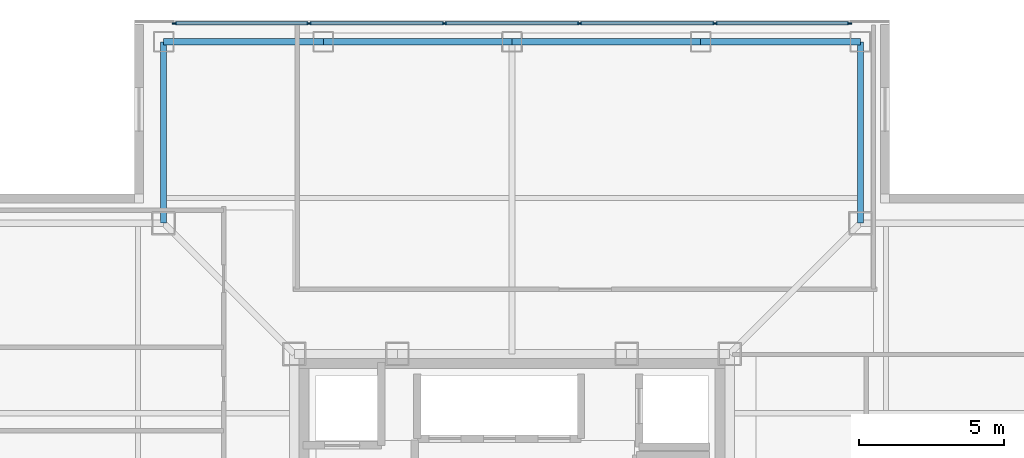
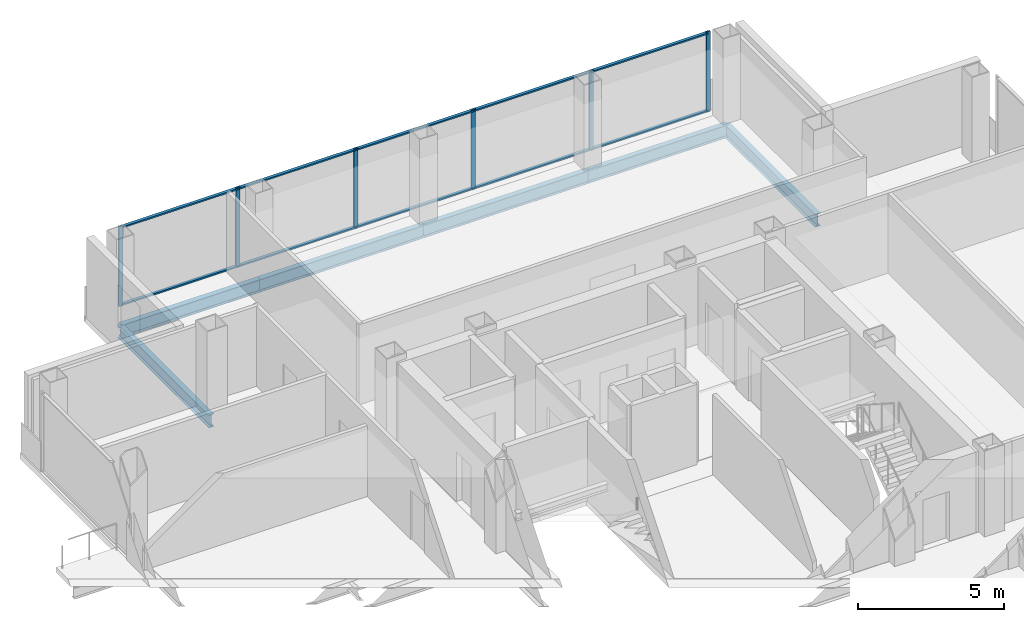
# One storey, part 7 of 13: 16 members, 6 beams, 1 element without a shape of its own.
"""IFC4 building model written with IfcOpenShell, lengths in metres."""

from ifc_helpers import new_model, si_unit, direction, frame, origin, origin_2d, place, context, subcontext, project, spatial, rectangle, i_section, extrude, material, layer, layer_set, material_profile, profile_set, type_object, element, aggregate, save


model = new_model("IFC4")

# Units and contexts
model_context = context("Model", 3, precision=1e-05, world=origin(), true_north=direction((0.0, 1.0)))
body_context = subcontext(model_context, "Body", "Model", "MODEL_VIEW")
ifc_project = project(units=[si_unit("LENGTHUNIT", "METRE"), si_unit("AREAUNIT", "SQUARE_METRE"), si_unit("VOLUMEUNIT", "CUBIC_METRE"), si_unit("PLANEANGLEUNIT", "RADIAN"), si_unit("MASSUNIT", "GRAM", prefix="KILO")], contexts=[model_context])

# Site, building, storey
site_placement = place(None, origin())
site = spatial("IfcSite", under=ifc_project, at=site_placement, CompositionType="ELEMENT")
building_placement = place(site_placement, origin())
building = spatial("IfcBuilding", under=site, at=building_placement, Name="Trevonay Congress Spire", CompositionType="ELEMENT")
storey_placement = place(building_placement, frame((0.0, 0.0, 286.39990234375)))
storey = spatial("IfcBuildingStorey", under=building, at=storey_placement, Name="L75", CompositionType="ELEMENT", Elevation=286.39990234375)

# Beams
ifc_material_1 = material(Name="Steel ASTM A572 Grade 50", Category="steel")
ifc_material_profile_1 = material_profile(ifc_material_1, i_section(OverallWidth=0.208984375, OverallDepth=0.532958984375, WebThickness=0.01025390625, FlangeThickness=0.015625, FilletRadius=0.014892578125, at=origin_2d()), Name="W530x92")
ifc_profile_set_1 = profile_set([ifc_material_profile_1], Name="Steel ASTM A572 Grade 50")
beam_type = type_object("IfcBeamType", Name="BM-RING-W530X92", PredefinedType="BEAM", material=ifc_profile_set_1)
beam_1_placement = place(storey_placement, frame((-12.0, 18.25, -0.50634765625), z_axis=(1.0, 0.0, 0.0), x_axis=(0.0, 1.0, 0.0)))
element("IfcBeam", 1, at=beam_1_placement, inside=storey, type_object=beam_type, Name="L75 structural beam BM-L75-PN1", PredefinedType="BEAM", context=body_context, shape_type="SweptSolid", body=[
    extrude(i_section(OverallWidth=0.208984375, OverallDepth=0.532958984375, WebThickness=0.01025390625, FlangeThickness=0.015625, FilletRadius=0.014892578125, at=origin_2d()), origin(), (0.0, 0.0, 1.0), 5.5),
])
for number, where, z_axis, x_axis, name in (
    (2, (-6.5, 18.25, -0.50634765625), (1.0, 0.0, 0.0), (0.0, 1.0, 0.0), "L75 structural beam BM-L75-PN2"),
    (3, (0.0, 18.25, -0.50634765625), (1.0, 0.0, 0.0), (0.0, 1.0, 0.0), "L75 structural beam BM-L75-PN3"),
):
    element("IfcBeam", number, at=place(storey_placement, frame(where, z_axis=z_axis, x_axis=x_axis)), inside=storey, type_object=beam_type, Name=name, PredefinedType="BEAM", context=body_context, shape_type="SweptSolid", body=[
        extrude(i_section(OverallWidth=0.208984375, OverallDepth=0.532958984375, WebThickness=0.01025390625, FlangeThickness=0.015625, FilletRadius=0.014892578125, at=origin_2d()), origin(), (0.0, 0.0, 1.0), 6.5),
    ])
beam_2_placement = place(storey_placement, frame((6.5, 18.25, -0.50634765625), z_axis=(1.0, 0.0, 0.0), x_axis=(0.0, 1.0, 0.0)))
element("IfcBeam", 4, at=beam_2_placement, inside=storey, type_object=beam_type, Name="L75 structural beam BM-L75-PN4", PredefinedType="BEAM", context=body_context, shape_type="SweptSolid", body=[
    extrude(i_section(OverallWidth=0.208984375, OverallDepth=0.532958984375, WebThickness=0.01025390625, FlangeThickness=0.015625, FilletRadius=0.014892578125, at=origin_2d()), origin(), (0.0, 0.0, 1.0), 5.5),
])
for number, where, z_axis, x_axis, name in (
    (5, (12.0, 18.25, -0.50634765625), (0.0, -1.0, 0.0), (1.0, 0.0, 0.0), "L75 structural beam BM-L75-N1NE"),
    (6, (-12.0, 18.25, -0.50634765625), (0.0, -1.0, 0.0), (1.0, 0.0, 0.0), "L75 structural beam BM-L75-N1NW"),
):
    element("IfcBeam", number, at=place(storey_placement, frame(where, z_axis=z_axis, x_axis=x_axis)), inside=storey, type_object=beam_type, Name=name, PredefinedType="BEAM", context=body_context, shape_type="SweptSolid", body=[
        extrude(i_section(OverallWidth=0.208984375, OverallDepth=0.532958984375, WebThickness=0.01025390625, FlangeThickness=0.015625, FilletRadius=0.014892578125, at=origin_2d()), origin(), (0.0, 0.0, 1.0), 6.25),
    ])

# Curtain wall, members
ifc_material_2 = material(Name="Pale Anodised Aluminium EN AW-6063-T6", Category="aluminium")
ifc_layer = layer(ifc_material_2, 0.1650390625, Name="Pale Anodised Aluminium EN AW-6063-T6")
ifc_layer_set = layer_set([ifc_layer], Name="Pale Anodised Aluminium EN AW-6063-T6")
curtain_wall_type = type_object("IfcCurtainWallType", Name="CW-SYS05-DIPLOM-PALE-METAL", PredefinedType="NOTDEFINED", material=ifc_layer_set)
curtain_wall_placement = place(storey_placement, origin())
curtain_wall = element("IfcCurtainWall", 7, at=curtain_wall_placement, inside=storey, type_object=curtain_wall_type, Name="L75 N unitised curtain wall", PredefinedType="NOTDEFINED")
ifc_material_profile_2 = material_profile(ifc_material_2, rectangle(XDim=0.06005859375, YDim=0.159912109375, at=origin_2d()), Name="CW-MULLION-160-ALUMINIUM")
ifc_profile_set_2 = profile_set([ifc_material_profile_2], Name="Pale Anodised Aluminium EN AW-6063-T6")
member_type_1 = type_object("IfcMemberType", Name="CW-MULLION-160-ALUMINIUM", PredefinedType="MULLION", material=ifc_profile_set_2)
member_1_placement = place(storey_placement, frame((-11.6201171875, 18.8798828125, 0.0), z_axis=(0.0, 0.0, 1.0), x_axis=(0.0, 1.0, 0.0)))
member_1 = element("IfcMember", 8, at=member_1_placement, type_object=member_type_1, Name="CW05 mullion 1", PredefinedType="MULLION", context=body_context, shape_type="SweptSolid", body=[
    extrude(rectangle(XDim=0.06005859375, YDim=0.159912109375, at=origin_2d()), origin(), (0.0, 0.0, 1.0), 3.360107421875),
])
member_2_placement = place(storey_placement, frame((-6.989990234375, 18.8798828125, 0.0), z_axis=(0.0, 0.0, 1.0), x_axis=(0.0, 1.0, 0.0)))
member_2 = element("IfcMember", 9, at=member_2_placement, type_object=member_type_1, Name="CW05 mullion 2", PredefinedType="MULLION", context=body_context, shape_type="SweptSolid", body=[
    extrude(rectangle(XDim=0.06005859375, YDim=0.159912109375, at=origin_2d()), origin(), (0.0, 0.0, 1.0), 3.360107421875),
])
member_3_placement = place(storey_placement, frame((-2.330078125, 18.8798828125, 0.0), z_axis=(0.0, 0.0, 1.0), x_axis=(0.0, 1.0, 0.0)))
member_3 = element("IfcMember", 10, at=member_3_placement, type_object=member_type_1, Name="CW05 mullion 3", PredefinedType="MULLION", context=body_context, shape_type="SweptSolid", body=[
    extrude(rectangle(XDim=0.06005859375, YDim=0.159912109375, at=origin_2d()), origin(), (0.0, 0.0, 1.0), 3.360107421875),
])
member_4_placement = place(storey_placement, frame((2.330078125, 18.8798828125, 0.0), z_axis=(0.0, 0.0, 1.0), x_axis=(0.0, 1.0, 0.0)))
member_4 = element("IfcMember", 11, at=member_4_placement, type_object=member_type_1, Name="CW05 mullion 4", PredefinedType="MULLION", context=body_context, shape_type="SweptSolid", body=[
    extrude(rectangle(XDim=0.06005859375, YDim=0.159912109375, at=origin_2d()), origin(), (0.0, 0.0, 1.0), 3.360107421875),
])
member_5_placement = place(storey_placement, frame((6.989990234375, 18.8798828125, 0.0), z_axis=(0.0, 0.0, 1.0), x_axis=(0.0, 1.0, 0.0)))
member_5 = element("IfcMember", 12, at=member_5_placement, type_object=member_type_1, Name="CW05 mullion 5", PredefinedType="MULLION", context=body_context, shape_type="SweptSolid", body=[
    extrude(rectangle(XDim=0.06005859375, YDim=0.159912109375, at=origin_2d()), origin(), (0.0, 0.0, 1.0), 3.360107421875),
])
member_6_placement = place(storey_placement, frame((11.6201171875, 18.8798828125, 0.0), z_axis=(0.0, 0.0, 1.0), x_axis=(0.0, 1.0, 0.0)))
member_6 = element("IfcMember", 13, at=member_6_placement, type_object=member_type_1, Name="CW05 mullion 6", PredefinedType="MULLION", context=body_context, shape_type="SweptSolid", body=[
    extrude(rectangle(XDim=0.06005859375, YDim=0.159912109375, at=origin_2d()), origin(), (0.0, 0.0, 1.0), 3.360107421875),
])
ifc_material_profile_3 = material_profile(ifc_material_2, rectangle(XDim=0.1201171875, YDim=0.06005859375, at=origin_2d()), Name="CW-TRANSOM-120-ALUMINIUM")
ifc_profile_set_3 = profile_set([ifc_material_profile_3], Name="Pale Anodised Aluminium EN AW-6063-T6")
member_type_2 = type_object("IfcMemberType", Name="CW-TRANSOM-120-ALUMINIUM", PredefinedType="USERDEFINED", material=ifc_profile_set_3)
member_7_placement = place(storey_placement, frame((-11.590087890625, 18.8798828125, 0.06005859375), z_axis=(1.0, 0.0, 0.0), x_axis=(0.0, 1.0, 0.0)))
member_7 = element("IfcMember", 14, at=member_7_placement, type_object=member_type_2, Name="CW05 transom 1.1", ObjectType="TRANSOM", PredefinedType="USERDEFINED", context=body_context, shape_type="SweptSolid", body=[
    extrude(rectangle(XDim=0.1201171875, YDim=0.06005859375, at=origin_2d()), origin(), (0.0, 0.0, 1.0), 4.570068359375),
])
member_8_placement = place(storey_placement, frame((-11.590087890625, 18.8798828125, 3.300048828125), z_axis=(1.0, 0.0, 0.0), x_axis=(0.0, 1.0, 0.0)))
member_8 = element("IfcMember", 15, at=member_8_placement, type_object=member_type_2, Name="CW05 transom 1.2", ObjectType="TRANSOM", PredefinedType="USERDEFINED", context=body_context, shape_type="SweptSolid", body=[
    extrude(rectangle(XDim=0.1201171875, YDim=0.06005859375, at=origin_2d()), origin(), (0.0, 0.0, 1.0), 4.570068359375),
])
member_9_placement = place(storey_placement, frame((-6.9599609375, 18.8798828125, 0.06005859375), z_axis=(1.0, 0.0, 0.0), x_axis=(0.0, 1.0, 0.0)))
member_9 = element("IfcMember", 16, at=member_9_placement, type_object=member_type_2, Name="CW05 transom 2.1", ObjectType="TRANSOM", PredefinedType="USERDEFINED", context=body_context, shape_type="SweptSolid", body=[
    extrude(rectangle(XDim=0.1201171875, YDim=0.06005859375, at=origin_2d()), origin(), (0.0, 0.0, 1.0), 4.599853515625),
])
member_10_placement = place(storey_placement, frame((-6.9599609375, 18.8798828125, 3.300048828125), z_axis=(1.0, 0.0, 0.0), x_axis=(0.0, 1.0, 0.0)))
member_10 = element("IfcMember", 17, at=member_10_placement, type_object=member_type_2, Name="CW05 transom 2.2", ObjectType="TRANSOM", PredefinedType="USERDEFINED", context=body_context, shape_type="SweptSolid", body=[
    extrude(rectangle(XDim=0.1201171875, YDim=0.06005859375, at=origin_2d()), origin(), (0.0, 0.0, 1.0), 4.599853515625),
])
member_11_placement = place(storey_placement, frame((-2.300048828125, 18.8798828125, 0.06005859375), z_axis=(1.0, 0.0, 0.0), x_axis=(0.0, 1.0, 0.0)))
member_11 = element("IfcMember", 18, at=member_11_placement, type_object=member_type_2, Name="CW05 transom 3.1", ObjectType="TRANSOM", PredefinedType="USERDEFINED", context=body_context, shape_type="SweptSolid", body=[
    extrude(rectangle(XDim=0.1201171875, YDim=0.06005859375, at=origin_2d()), origin(), (0.0, 0.0, 1.0), 4.60009765625),
])
member_12_placement = place(storey_placement, frame((-2.300048828125, 18.8798828125, 3.300048828125), z_axis=(1.0, 0.0, 0.0), x_axis=(0.0, 1.0, 0.0)))
member_12 = element("IfcMember", 19, at=member_12_placement, type_object=member_type_2, Name="CW05 transom 3.2", ObjectType="TRANSOM", PredefinedType="USERDEFINED", context=body_context, shape_type="SweptSolid", body=[
    extrude(rectangle(XDim=0.1201171875, YDim=0.06005859375, at=origin_2d()), origin(), (0.0, 0.0, 1.0), 4.60009765625),
])
member_13_placement = place(storey_placement, frame((2.360107421875, 18.8798828125, 0.06005859375), z_axis=(1.0, 0.0, 0.0), x_axis=(0.0, 1.0, 0.0)))
member_13 = element("IfcMember", 20, at=member_13_placement, type_object=member_type_2, Name="CW05 transom 4.1", ObjectType="TRANSOM", PredefinedType="USERDEFINED", context=body_context, shape_type="SweptSolid", body=[
    extrude(rectangle(XDim=0.1201171875, YDim=0.06005859375, at=origin_2d()), origin(), (0.0, 0.0, 1.0), 4.599853515625),
])
member_14_placement = place(storey_placement, frame((2.360107421875, 18.8798828125, 3.300048828125), z_axis=(1.0, 0.0, 0.0), x_axis=(0.0, 1.0, 0.0)))
member_14 = element("IfcMember", 21, at=member_14_placement, type_object=member_type_2, Name="CW05 transom 4.2", ObjectType="TRANSOM", PredefinedType="USERDEFINED", context=body_context, shape_type="SweptSolid", body=[
    extrude(rectangle(XDim=0.1201171875, YDim=0.06005859375, at=origin_2d()), origin(), (0.0, 0.0, 1.0), 4.599853515625),
])
member_15_placement = place(storey_placement, frame((7.02001953125, 18.8798828125, 0.06005859375), z_axis=(1.0, 0.0, 0.0), x_axis=(0.0, 1.0, 0.0)))
member_15 = element("IfcMember", 22, at=member_15_placement, type_object=member_type_2, Name="CW05 transom 5.1", ObjectType="TRANSOM", PredefinedType="USERDEFINED", context=body_context, shape_type="SweptSolid", body=[
    extrude(rectangle(XDim=0.1201171875, YDim=0.06005859375, at=origin_2d()), origin(), (0.0, 0.0, 1.0), 4.570068359375),
])
member_16_placement = place(storey_placement, frame((7.02001953125, 18.8798828125, 3.300048828125), z_axis=(1.0, 0.0, 0.0), x_axis=(0.0, 1.0, 0.0)))
member_16 = element("IfcMember", 23, at=member_16_placement, type_object=member_type_2, Name="CW05 transom 5.2", ObjectType="TRANSOM", PredefinedType="USERDEFINED", context=body_context, shape_type="SweptSolid", body=[
    extrude(rectangle(XDim=0.1201171875, YDim=0.06005859375, at=origin_2d()), origin(), (0.0, 0.0, 1.0), 4.570068359375),
])
aggregate(curtain_wall, [member_1, member_2, member_3, member_4, member_5, member_6, member_7, member_8, member_9, member_10, member_11, member_12, member_13, member_14, member_15, member_16])

save(model, "model.ifc")
